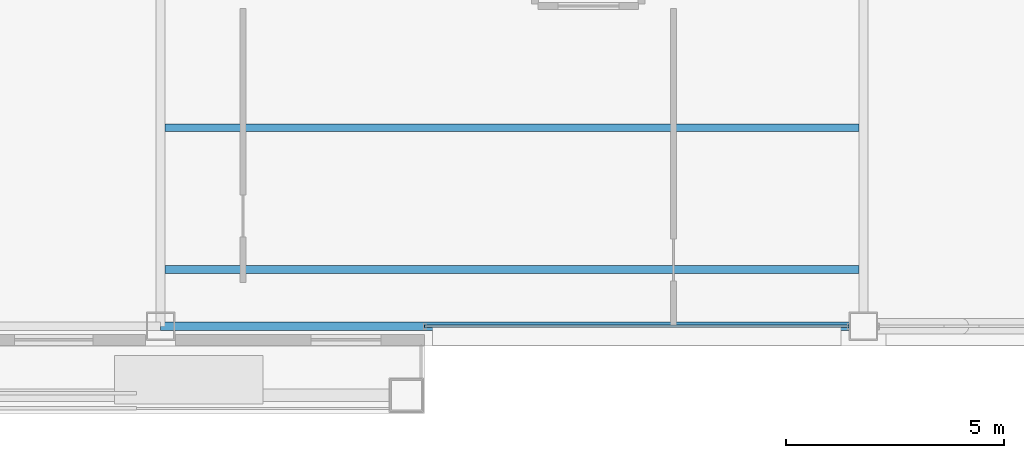
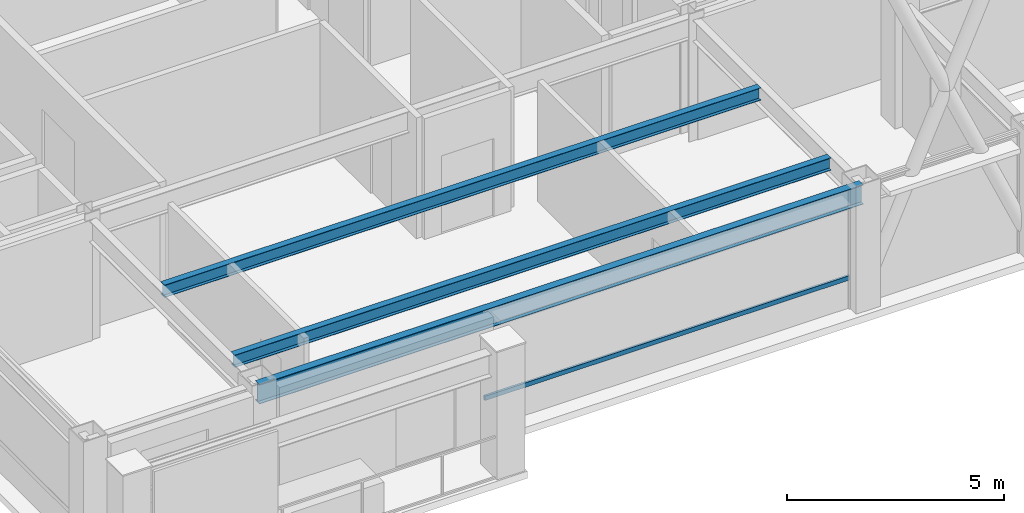
# One storey, part 6 of 26: 3 beams, 1 member, 1 element without a shape of its own.
"""IFC4 building model written with IfcOpenShell, lengths in metres."""

from ifc_helpers import new_model, si_unit, direction, frame, origin, origin_2d, place, context, subcontext, project, spatial, hollow_rectangle, i_section, extrude, material, layer, layer_set, material_profile, profile_set, type_object, element, aggregate, save


model = new_model("IFC4")

# Units and contexts
model_context = context("Model", 3, precision=1e-05, world=origin(), true_north=direction((0.0, 1.0)))
body_context = subcontext(model_context, "Body", "Model", "MODEL_VIEW")
ifc_project = project(units=[si_unit("LENGTHUNIT", "METRE"), si_unit("AREAUNIT", "SQUARE_METRE"), si_unit("VOLUMEUNIT", "CUBIC_METRE"), si_unit("PLANEANGLEUNIT", "RADIAN"), si_unit("MASSUNIT", "GRAM", prefix="KILO")], contexts=[model_context])

# Site, building, storey
site_placement = place(None, origin())
site = spatial("IfcSite", under=ifc_project, at=site_placement, CompositionType="ELEMENT")
building_placement = place(site_placement, origin())
building = spatial("IfcBuilding", under=site, at=building_placement, Name="Brelmoor Portico Tower", CompositionType="ELEMENT")
storey_placement = place(building_placement, frame((0.0, 0.0, 247.199951171875)))
storey = spatial("IfcBuildingStorey", under=building, at=storey_placement, Name="L65", CompositionType="ELEMENT", Elevation=247.199951171875)

# Beams
ifc_material_1 = material(Name="Steel Q355B", Category="steel")
ifc_material_profile_1 = material_profile(ifc_material_1, i_section(OverallWidth=0.175048828125, OverallDepth=0.35009765625, WebThickness=0.007080078125, FlangeThickness=0.010986328125, at=origin_2d()), Name="HN 350x175x7x11")
ifc_profile_set_1 = profile_set([ifc_material_profile_1], Name="Steel Q355B")
beam_type_1 = type_object("IfcBeamType", Name="BM-JS-350", PredefinedType="JOIST", material=ifc_profile_set_1)
for number, where, z_axis, x_axis, name in (
    (1, (-7.949951171875, -16.25, 3.22509765625), (1.0, 0.0, 0.0), (0.0, 1.0, 0.0), "L65 Secondary Composite Joist JS-C01"),
    (2, (-7.949951171875, -13.0, 3.22509765625), (1.0, 0.0, 0.0), (0.0, 1.0, 0.0), "L65 Secondary Composite Joist JS-C02"),
):
    element("IfcBeam", number, at=place(storey_placement, frame(where, z_axis=z_axis, x_axis=x_axis)), inside=storey, type_object=beam_type_1, Name=name, PredefinedType="JOIST", context=body_context, shape_type="SweptSolid", body=[
        extrude(i_section(OverallWidth=0.175048828125, OverallDepth=0.35009765625, WebThickness=0.007080078125, FlangeThickness=0.010986328125, at=origin_2d()), origin(), (0.0, 0.0, 1.0), 15.89990234375),
    ])
ifc_material_profile_2 = material_profile(ifc_material_1, i_section(OverallWidth=0.199951171875, OverallDepth=0.550048828125, WebThickness=0.010009765625, FlangeThickness=0.01611328125, at=origin_2d()), Name="HN 550x200x10x16")
ifc_profile_set_2 = profile_set([ifc_material_profile_2], Name="Steel Q355B")
beam_type_2 = type_object("IfcBeamType", Name="BM-SP-550", PredefinedType="SPANDREL", material=ifc_profile_set_2)
beam_placement = place(storey_placement, frame((-8.050048828125, -17.550048828125, 3.125), z_axis=(1.0, 0.0, 0.0), x_axis=(0.0, 1.0, 0.0)))
element("IfcBeam", 3, at=beam_placement, inside=storey, type_object=beam_type_2, Name="L65 Perimeter Spandrel Beam SP-02", PredefinedType="SPANDREL", context=body_context, shape_type="SweptSolid", body=[
    extrude(i_section(OverallWidth=0.199951171875, OverallDepth=0.550048828125, WebThickness=0.010009765625, FlangeThickness=0.01611328125, at=origin_2d()), origin(), (0.0, 0.0, 1.0), 16.10009765625),
])

# Curtain wall, member
ifc_material_2 = material(Name="Anodised Aluminium Alloy 6063-T6", Category="aluminium")
ifc_layer = layer(ifc_material_2, 0.179931640625)
ifc_layer_set = layer_set([ifc_layer], Name="Anodised Aluminium Alloy 6063-T6")
curtain_wall_type = type_object("IfcCurtainWallType", Name="CW-TOWER-Z4", PredefinedType="NOTDEFINED", material=ifc_layer_set)
curtain_wall_placement = place(storey_placement, origin())
curtain_wall = element("IfcCurtainWall", 4, at=curtain_wall_placement, inside=storey, type_object=curtain_wall_type, Name="L65 Curtain Wall CW-L65-1R-1", PredefinedType="NOTDEFINED")
ifc_material_profile_3 = material_profile(ifc_material_2, hollow_rectangle(XDim=0.06005859375, YDim=0.125, WallThickness=0.00341796875, at=origin_2d()), Name="ALU TRANSOM 60x125")
ifc_profile_set_3 = profile_set([ifc_material_profile_3], Name="Anodised Aluminium Alloy 6063-T6")
member_type = type_object("IfcMemberType", Name="MB-CW-TRAN-125", PredefinedType="USERDEFINED", material=ifc_profile_set_3)
member_placement = place(storey_placement, frame((-2.0, -17.550048828125, 0.85009765625), z_axis=(1.0, 0.0, 0.0), x_axis=(0.0, 1.0, 0.0)))
member = element("IfcMember", 5, at=member_placement, type_object=member_type, Name="CW-L65-1R-1 Transom 1-00", ObjectType="TRANSOM", PredefinedType="USERDEFINED", context=body_context, shape_type="SweptSolid", body=[
    extrude(hollow_rectangle(XDim=0.06005859375, YDim=0.125, WallThickness=0.00341796875, at=origin_2d()), origin(), (0.0, 0.0, 1.0), 9.715087890625),
])
aggregate(curtain_wall, [member])

save(model, "model.ifc")
